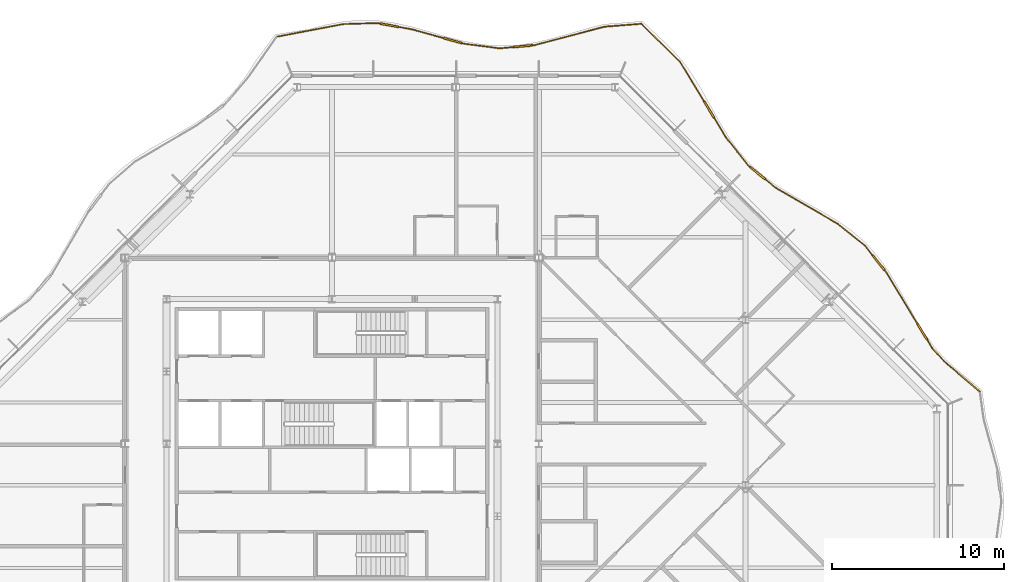
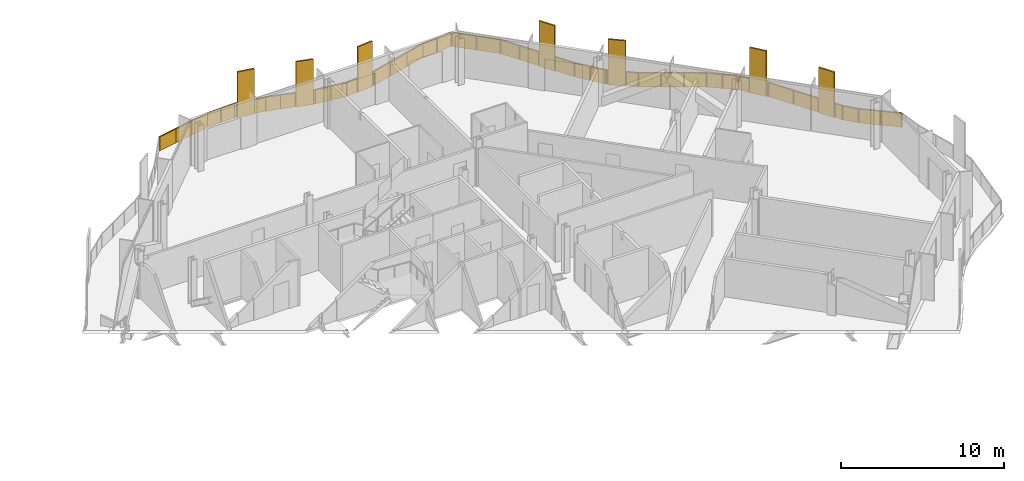
# One storey, part 17 of 17: 2 railings.
"""IFC4 building model written with IfcOpenShell, lengths in metres."""

from ifc_helpers import new_model, si_unit, direction, frame, origin, origin_2d, place, context, subcontext, project, spatial, polyline, rectangle, outline, extrude, material, type_object, element, save


model = new_model("IFC4")

# Units and contexts
model_context = context("Model", 3, precision=1e-05, world=origin(), true_north=direction((0.0, 1.0)))
body_context = subcontext(model_context, "Body", "Model", "MODEL_VIEW")
ifc_project = project(units=[si_unit("LENGTHUNIT", "METRE"), si_unit("AREAUNIT", "SQUARE_METRE"), si_unit("VOLUMEUNIT", "CUBIC_METRE"), si_unit("PLANEANGLEUNIT", "RADIAN"), si_unit("MASSUNIT", "GRAM", prefix="KILO")], contexts=[model_context])

# Site, building, storey
site_placement = place(None, origin())
site = spatial("IfcSite", under=ifc_project, at=site_placement, CompositionType="ELEMENT")
building_placement = place(site_placement, origin())
building = spatial("IfcBuilding", under=site, at=building_placement, Name="Cairn Pilgrim Tower", CompositionType="ELEMENT")
storey_placement = place(building_placement, frame((0.0, 0.0, 225.0)))
storey = spatial("IfcBuildingStorey", under=building, at=storey_placement, Name="L57", CompositionType="ELEMENT", Elevation=225.0)

# Railings
ifc_material = material(Name="Bronze anodised aluminium rail, posts and fin screens with laminated glass infill", Category="aluminium")
railing_type = type_object("IfcRailingType", Name="BALCONY GUARD WITH FIN SCREENS", PredefinedType="GUARDRAIL", material=ifc_material)
railing_1_placement = place(storey_placement, frame((44.7890625, 5.438720703125, 0.0)))
element("IfcRailing", 1, at=railing_1_placement, inside=storey, type_object=railing_type, Name="Balcony guard BGF-4 with fin screens", PredefinedType="GUARDRAIL", context=body_context, shape_type="SweptSolid", body=[
    extrude(rectangle(XDim=0.050048828125, YDim=0.050048828125, at=origin_2d()), frame((0.0, 0.0, 1.0751953125), z_axis=(-0.763874827569, 0.64536443023, 0.0), x_axis=(-0.64536443023, -0.763874827569, 0.0)), (0.0, 0.0, 1.0), 2.6904296875),
    extrude(rectangle(XDim=0.050048828125, YDim=0.050048828125, at=origin_2d()), frame((-2.05517578125, 1.736328125, 1.0751953125), z_axis=(-0.668467622937, 0.743741243367, 0.0), x_axis=(-0.743741243367, -0.668467622937, 0.0)), (0.0, 0.0, 1.0), 1.031494140625),
    extrude(rectangle(XDim=1.10009765625, YDim=0.110107421875, at=origin_2d()), frame((-3.325927734375, 3.459716796875, 0.0), z_axis=(0.0, 0.0, 1.0), x_axis=(-0.519442965435, 0.85450512325, 0.0)), (0.0, 0.0, 1.0), 3.39990234375),
    extrude(rectangle(XDim=0.050048828125, YDim=0.050048828125, at=origin_2d()), frame((-2.74462890625, 2.50341796875, 1.0751953125), z_axis=(-0.519442965435, 0.85450512325, 0.0), x_axis=(-0.85450512325, -0.519442965435, 0.0)), (0.0, 0.0, 1.0), 0.569091796875),
    extrude(rectangle(XDim=0.050048828125, YDim=0.050048828125, at=origin_2d()), frame((-3.611572265625, 3.9296875, 1.0751953125), z_axis=(-0.519442965435, 0.85450512325, 0.0), x_axis=(-0.85450512325, -0.519442965435, 0.0)), (0.0, 0.0, 1.0), 3.5107421875),
    extrude(rectangle(XDim=1.10009765625, YDim=0.110107421875, at=origin_2d()), frame((-5.87353515625, 7.475341796875, 0.0), z_axis=(0.0, 0.0, 1.0), x_axis=(-0.62608064163, 0.779758315234, 0.0)), (0.0, 0.0, 1.0), 3.39990234375),
    extrude(rectangle(XDim=0.050048828125, YDim=0.050048828125, at=origin_2d()), frame((-5.435302734375, 6.9296875, 1.0751953125), z_axis=(-0.62608064163, 0.779758315234, 0.0), x_axis=(-0.779758315234, -0.62608064163, 0.0)), (0.0, 0.0, 1.0), 0.14990234375),
    extrude(rectangle(XDim=0.050048828125, YDim=0.050048828125, at=origin_2d()), frame((-6.2177734375, 7.904296875, 1.0751953125), z_axis=(-0.62608064163, 0.779758315234, 0.0), x_axis=(-0.779758315234, -0.62608064163, 0.0)), (0.0, 0.0, 1.0), 0.7470703125),
    extrude(rectangle(XDim=0.050048828125, YDim=0.050048828125, at=origin_2d()), frame((-6.685546875, 8.48681640625, 1.0751953125), z_axis=(-0.78098812795, 0.624545870214, 0.0), x_axis=(-0.624545870214, -0.78098812795, 0.0)), (0.0, 0.0, 1.0), 1.99609375),
    extrude(rectangle(XDim=0.050048828125, YDim=0.050048828125, at=origin_2d()), frame((-8.244384765625, 9.7333984375, 1.0751953125), z_axis=(-0.864548085394, 0.502550105006, 0.0), x_axis=(-0.502550105006, -0.864548085394, 0.0)), (0.0, 0.0, 1.0), 4.161865234375),
    extrude(rectangle(XDim=1.10009765625, YDim=0.110107421875, at=origin_2d()), frame((-12.8916015625, 12.67529296875, 0.0), z_axis=(0.0, 0.0, 1.0), x_axis=(-0.776903706688, 0.629619433098, 0.0)), (0.0, 0.0, 1.0), 3.39990234375),
    extrude(rectangle(XDim=0.050048828125, YDim=0.050048828125, at=origin_2d()), frame((-11.842529296875, 11.824951171875, 1.0751953125), z_axis=(-0.776903706688, 0.629619433098, 0.0), x_axis=(-0.629619433098, -0.776903706688, 0.0)), (0.0, 0.0, 1.0), 0.800537109375),
    extrude(rectangle(XDim=0.050048828125, YDim=0.050048828125, at=origin_2d()), frame((-13.319091796875, 13.021484375, 1.0751953125), z_axis=(-0.776903706688, 0.629619433098, 0.0), x_axis=(-0.629619433098, -0.776903706688, 0.0)), (0.0, 0.0, 1.0), 0.150146484375),
    extrude(rectangle(XDim=0.050048828125, YDim=0.050048828125, at=origin_2d()), frame((-13.435546875, 13.115966796875, 1.0751953125), z_axis=(-0.620898097192, 0.783891288957, 0.0), x_axis=(-0.783891288957, -0.620898097192, 0.0)), (0.0, 0.0, 1.0), 2.050537109375),
    extrude(rectangle(XDim=1.10009765625, YDim=0.110107421875, at=origin_2d()), frame((-15.70703125, 16.36083984375, 0.0), z_axis=(0.0, 0.0, 1.0), x_axis=(-0.520537665397, 0.85383870778, 0.0)), (0.0, 0.0, 1.0), 3.39990234375),
    extrude(rectangle(XDim=0.050048828125, YDim=0.050048828125, at=origin_2d()), frame((-14.708740234375, 14.723388671875, 1.0751953125), z_axis=(-0.520537665397, 0.85383870778, 0.0), x_axis=(-0.85383870778, -0.520537665397, 0.0)), (0.0, 0.0, 1.0), 1.367919921875),
    extrude(rectangle(XDim=0.050048828125, YDim=0.050048828125, at=origin_2d()), frame((-15.993408203125, 16.83056640625, 1.0751953125), z_axis=(-0.520537665397, 0.85383870778, 0.0), x_axis=(-0.85383870778, -0.520537665397, 0.0)), (0.0, 0.0, 1.0), 2.697021484375),
    extrude(rectangle(XDim=0.050048828125, YDim=0.050048828125, at=origin_2d()), frame((-17.397216796875, 19.13330078125, 1.0751953125), z_axis=(-0.712046289599, 0.70213252415, 0.0), x_axis=(-0.70213252415, -0.712046289599, 0.0)), (0.0, 0.0, 1.0), 3.078369140625),
    extrude(rectangle(XDim=0.050048828125, YDim=0.050048828125, at=origin_2d()), origin(), (0.0, 0.0, 1.0), 1.050048828125),
    extrude(rectangle(XDim=0.050048828125, YDim=0.050048828125, at=origin_2d()), frame((-1.027587890625, 0.8681640625, 0.0)), (0.0, 0.0, 1.0), 1.050048828125),
    extrude(rectangle(XDim=0.050048828125, YDim=0.050048828125, at=origin_2d()), frame((-2.05517578125, 1.736328125, 0.0)), (0.0, 0.0, 1.0), 1.050048828125),
    extrude(rectangle(XDim=0.050048828125, YDim=0.050048828125, at=origin_2d()), frame((-2.74462890625, 2.50341796875, 0.0)), (0.0, 0.0, 1.0), 1.050048828125),
    extrude(rectangle(XDim=0.050048828125, YDim=0.050048828125, at=origin_2d()), frame((-3.02734375, 2.96826171875, 0.0)), (0.0, 0.0, 1.0), 1.050048828125),
    extrude(rectangle(XDim=0.050048828125, YDim=0.050048828125, at=origin_2d()), frame((-3.624755859375, 3.951171875, 0.0)), (0.0, 0.0, 1.0), 1.050048828125),
    extrude(rectangle(XDim=0.050048828125, YDim=0.050048828125, at=origin_2d()), frame((-4.530029296875, 5.4404296875, 0.0)), (0.0, 0.0, 1.0), 1.050048828125),
    extrude(rectangle(XDim=0.050048828125, YDim=0.050048828125, at=origin_2d()), frame((-5.435302734375, 6.9296875, 0.0)), (0.0, 0.0, 1.0), 1.050048828125),
    extrude(rectangle(XDim=0.050048828125, YDim=0.050048828125, at=origin_2d()), frame((-5.513427734375, 7.027099609375, 0.0)), (0.0, 0.0, 1.0), 1.050048828125),
    extrude(rectangle(XDim=0.050048828125, YDim=0.050048828125, at=origin_2d()), frame((-6.2333984375, 7.923828125, 0.0)), (0.0, 0.0, 1.0), 1.050048828125),
    extrude(rectangle(XDim=0.050048828125, YDim=0.050048828125, at=origin_2d()), frame((-6.685546875, 8.48681640625, 0.0)), (0.0, 0.0, 1.0), 1.050048828125),
    extrude(rectangle(XDim=0.050048828125, YDim=0.050048828125, at=origin_2d()), frame((-7.46484375, 9.110107421875, 0.0)), (0.0, 0.0, 1.0), 1.050048828125),
    extrude(rectangle(XDim=0.050048828125, YDim=0.050048828125, at=origin_2d()), frame((-8.244384765625, 9.7333984375, 0.0)), (0.0, 0.0, 1.0), 1.050048828125),
    extrude(rectangle(XDim=0.050048828125, YDim=0.050048828125, at=origin_2d()), frame((-9.44384765625, 10.4306640625, 0.0)), (0.0, 0.0, 1.0), 1.050048828125),
    extrude(rectangle(XDim=0.050048828125, YDim=0.050048828125, at=origin_2d()), frame((-10.64306640625, 11.127685546875, 0.0)), (0.0, 0.0, 1.0), 1.050048828125),
    extrude(rectangle(XDim=0.050048828125, YDim=0.050048828125, at=origin_2d()), frame((-11.842529296875, 11.824951171875, 0.0)), (0.0, 0.0, 1.0), 1.050048828125),
    extrude(rectangle(XDim=0.050048828125, YDim=0.050048828125, at=origin_2d()), frame((-12.44482421875, 12.313232421875, 0.0)), (0.0, 0.0, 1.0), 1.050048828125),
    extrude(rectangle(XDim=0.050048828125, YDim=0.050048828125, at=origin_2d()), frame((-13.33837890625, 13.037353515625, 0.0)), (0.0, 0.0, 1.0), 1.050048828125),
    extrude(rectangle(XDim=0.050048828125, YDim=0.050048828125, at=origin_2d()), frame((-13.435546875, 13.115966796875, 0.0)), (0.0, 0.0, 1.0), 1.050048828125),
    extrude(rectangle(XDim=0.050048828125, YDim=0.050048828125, at=origin_2d()), frame((-14.072265625, 13.919677734375, 0.0)), (0.0, 0.0, 1.0), 1.050048828125),
    extrude(rectangle(XDim=0.050048828125, YDim=0.050048828125, at=origin_2d()), frame((-14.708740234375, 14.723388671875, 0.0)), (0.0, 0.0, 1.0), 1.050048828125),
    extrude(rectangle(XDim=0.050048828125, YDim=0.050048828125, at=origin_2d()), frame((-15.40771484375, 15.869873046875, 0.0)), (0.0, 0.0, 1.0), 1.050048828125),
    extrude(rectangle(XDim=0.050048828125, YDim=0.050048828125, at=origin_2d()), frame((-16.00634765625, 16.85205078125, 0.0)), (0.0, 0.0, 1.0), 1.050048828125),
    extrude(rectangle(XDim=0.050048828125, YDim=0.050048828125, at=origin_2d()), frame((-16.701904296875, 17.99267578125, 0.0)), (0.0, 0.0, 1.0), 1.050048828125),
    extrude(rectangle(XDim=0.050048828125, YDim=0.050048828125, at=origin_2d()), frame((-17.397216796875, 19.13330078125, 0.0)), (0.0, 0.0, 1.0), 1.050048828125),
    extrude(rectangle(XDim=0.050048828125, YDim=0.050048828125, at=origin_2d()), frame((-18.4931640625, 20.2138671875, 0.0)), (0.0, 0.0, 1.0), 1.050048828125),
    extrude(rectangle(XDim=0.050048828125, YDim=0.050048828125, at=origin_2d()), frame((-19.589111328125, 21.294677734375, 0.0)), (0.0, 0.0, 1.0), 1.050048828125),
    extrude(outline(polyline([(0.02490234375, 0.0), (1.3203125, 0.0), (1.3203125, 1.050048828125), (0.02490234375, 1.050048828125), (0.02490234375, 0.0)])), frame((-0.00390625, -0.004638671875, 0.0), z_axis=(0.64536443023, 0.763874827569, 0.0), x_axis=(-0.763874827569, 0.64536443023, 0.0)), (0.0, 0.0, 1.0), 0.011962890625),
    extrude(outline(polyline([(0.02490234375, 0.0), (1.3203125, 0.0), (1.3203125, 1.050048828125), (0.02490234375, 1.050048828125), (0.02490234375, 0.0)])), frame((-1.031494140625, 0.863525390625, 0.0), z_axis=(0.64536443023, 0.763874827569, 0.0), x_axis=(-0.763874827569, 0.64536443023, 0.0)), (0.0, 0.0, 1.0), 0.011962890625),
    extrude(outline(polyline([(0.02490234375, 0.0), (1.00634765625, 0.0), (1.00634765625, 1.050048828125), (0.02490234375, 1.050048828125), (0.02490234375, 0.0)])), frame((-2.0595703125, 1.732421875, 0.0), z_axis=(0.743741243367, 0.668467622937, 0.0), x_axis=(-0.668467622937, 0.743741243367, 0.0)), (0.0, 0.0, 1.0), 0.011962890625),
    extrude(outline(polyline([(0.02490234375, 0.0), (0.51904296875, 0.0), (0.51904296875, 1.050048828125), (0.02490234375, 1.050048828125), (0.02490234375, 0.0)])), frame((-2.749755859375, 2.500244140625, 0.0), z_axis=(0.85450512325, 0.519442965435, 0.0), x_axis=(-0.519442965435, 0.85450512325, 0.0)), (0.0, 0.0, 1.0), 0.011962890625),
    extrude(outline(polyline([(0.02490234375, 0.0), (1.7177734375, 0.0), (1.7177734375, 1.050048828125), (0.02490234375, 1.050048828125), (0.02490234375, 0.0)])), frame((-3.6298828125, 3.947998046875, 0.0), z_axis=(0.85450512325, 0.519442965435, 0.0), x_axis=(-0.519442965435, 0.85450512325, 0.0)), (0.0, 0.0, 1.0), 0.011962890625),
    extrude(outline(polyline([(0.02490234375, 0.0), (1.7177734375, 0.0), (1.7177734375, 1.050048828125), (0.02490234375, 1.050048828125), (0.02490234375, 0.0)])), frame((-4.53515625, 5.437255859375, 0.0), z_axis=(0.85450512325, 0.519442965435, 0.0), x_axis=(-0.519442965435, 0.85450512325, 0.0)), (0.0, 0.0, 1.0), 0.011962890625),
    extrude(outline(polyline([(0.02490234375, 0.0), (0.099853515625, 0.0), (0.099853515625, 1.050048828125), (0.02490234375, 1.050048828125), (0.02490234375, 0.0)])), frame((-5.43994140625, 6.926025390625, 0.0), z_axis=(0.779758315234, 0.62608064163, 0.0), x_axis=(-0.62608064163, 0.779758315234, 0.0)), (0.0, 0.0, 1.0), 0.011962890625),
    extrude(outline(polyline([(0.02490234375, 0.0), (0.697021484375, 0.0), (0.697021484375, 1.050048828125), (0.02490234375, 1.050048828125), (0.02490234375, 0.0)])), frame((-6.238037109375, 7.919921875, 0.0), z_axis=(0.779758315234, 0.62608064163, 0.0), x_axis=(-0.62608064163, 0.779758315234, 0.0)), (0.0, 0.0, 1.0), 0.011962890625),
    extrude(outline(polyline([(0.02490234375, 0.0), (0.972900390625, 0.0), (0.972900390625, 1.050048828125), (0.02490234375, 1.050048828125), (0.02490234375, 0.0)])), frame((-6.689208984375, 8.482177734375, 0.0), z_axis=(0.624545870214, 0.78098812795, 0.0), x_axis=(-0.78098812795, 0.624545870214, 0.0)), (0.0, 0.0, 1.0), 0.011962890625),
    extrude(outline(polyline([(0.02490234375, 0.0), (0.972900390625, 0.0), (0.972900390625, 1.050048828125), (0.02490234375, 1.050048828125), (0.02490234375, 0.0)])), frame((-7.46875, 9.10546875, 0.0), z_axis=(0.624545870214, 0.78098812795, 0.0), x_axis=(-0.78098812795, 0.624545870214, 0.0)), (0.0, 0.0, 1.0), 0.011962890625),
    extrude(outline(polyline([(0.02490234375, 0.0), (1.3623046875, 0.0), (1.3623046875, 1.050048828125), (0.02490234375, 1.050048828125), (0.02490234375, 0.0)])), frame((-8.247314453125, 9.728271484375, 0.0), z_axis=(0.502550105006, 0.864548085394, 0.0), x_axis=(-0.864548085394, 0.502550105006, 0.0)), (0.0, 0.0, 1.0), 0.011962890625),
    extrude(outline(polyline([(0.02490234375, 0.0), (1.3623046875, 0.0), (1.3623046875, 1.050048828125), (0.02490234375, 1.050048828125), (0.02490234375, 0.0)])), frame((-9.44677734375, 10.42529296875, 0.0), z_axis=(0.502550105006, 0.864548085394, 0.0), x_axis=(-0.864548085394, 0.502550105006, 0.0)), (0.0, 0.0, 1.0), 0.011962890625),
    extrude(outline(polyline([(0.02490234375, 0.0), (1.3623046875, 0.0), (1.3623046875, 1.050048828125), (0.02490234375, 1.050048828125), (0.02490234375, 0.0)])), frame((-10.646240234375, 11.12255859375, 0.0), z_axis=(0.502550105006, 0.864548085394, 0.0), x_axis=(-0.864548085394, 0.502550105006, 0.0)), (0.0, 0.0, 1.0), 0.011962890625),
    extrude(outline(polyline([(0.02490234375, 0.0), (0.75048828125, 0.0), (0.75048828125, 1.050048828125), (0.02490234375, 1.050048828125), (0.02490234375, 0.0)])), frame((-11.84619140625, 11.8203125, 0.0), z_axis=(0.629619433098, 0.776903706688, 0.0), x_axis=(-0.776903706688, 0.629619433098, 0.0)), (0.0, 0.0, 1.0), 0.011962890625),
    extrude(outline(polyline([(0.02490234375, 0.0), (0.10009765625, 0.0), (0.10009765625, 1.050048828125), (0.02490234375, 1.050048828125), (0.02490234375, 0.0)])), frame((-13.34228515625, 13.03271484375, 0.0), z_axis=(0.629619433098, 0.776903706688, 0.0), x_axis=(-0.776903706688, 0.629619433098, 0.0)), (0.0, 0.0, 1.0), 0.011962890625),
    extrude(outline(polyline([(0.02490234375, 0.0), (1.000244140625, 0.0), (1.000244140625, 1.050048828125), (0.02490234375, 1.050048828125), (0.02490234375, 0.0)])), frame((-13.440185546875, 13.1123046875, 0.0), z_axis=(0.783891288957, 0.620898097192, 0.0), x_axis=(-0.620898097192, 0.783891288957, 0.0)), (0.0, 0.0, 1.0), 0.011962890625),
    extrude(outline(polyline([(0.02490234375, 0.0), (1.000244140625, 0.0), (1.000244140625, 1.050048828125), (0.02490234375, 1.050048828125), (0.02490234375, 0.0)])), frame((-14.076904296875, 13.916015625, 0.0), z_axis=(0.783891288957, 0.620898097192, 0.0), x_axis=(-0.620898097192, 0.783891288957, 0.0)), (0.0, 0.0, 1.0), 0.011962890625),
    extrude(outline(polyline([(0.02490234375, 0.0), (1.31787109375, 0.0), (1.31787109375, 1.050048828125), (0.02490234375, 1.050048828125), (0.02490234375, 0.0)])), frame((-14.7138671875, 14.72021484375, 0.0), z_axis=(0.85383870778, 0.520537665397, 0.0), x_axis=(-0.520537665397, 0.85383870778, 0.0)), (0.0, 0.0, 1.0), 0.011962890625),
    extrude(outline(polyline([(0.02490234375, 0.0), (1.31103515625, 0.0), (1.31103515625, 1.050048828125), (0.02490234375, 1.050048828125), (0.02490234375, 0.0)])), frame((-16.011474609375, 16.848876953125, 0.0), z_axis=(0.85383870778, 0.520537665397, 0.0), x_axis=(-0.520537665397, 0.85383870778, 0.0)), (0.0, 0.0, 1.0), 0.011962890625),
    extrude(outline(polyline([(0.02490234375, 0.0), (1.31103515625, 0.0), (1.31103515625, 1.050048828125), (0.02490234375, 1.050048828125), (0.02490234375, 0.0)])), frame((-16.70703125, 17.989501953125, 0.0), z_axis=(0.85383870778, 0.520537665397, 0.0), x_axis=(-0.520537665397, 0.85383870778, 0.0)), (0.0, 0.0, 1.0), 0.011962890625),
    extrude(outline(polyline([(0.02490234375, 0.0), (1.51416015625, 0.0), (1.51416015625, 1.050048828125), (0.02490234375, 1.050048828125), (0.02490234375, 0.0)])), frame((-17.4013671875, 19.129150390625, 0.0), z_axis=(0.70213252415, 0.712046289599, 0.0), x_axis=(-0.712046289599, 0.70213252415, 0.0)), (0.0, 0.0, 1.0), 0.011962890625),
    extrude(outline(polyline([(0.02490234375, 0.0), (1.51416015625, 0.0), (1.51416015625, 1.050048828125), (0.02490234375, 1.050048828125), (0.02490234375, 0.0)])), frame((-18.497314453125, 20.209716796875, 0.0), z_axis=(0.70213252415, 0.712046289599, 0.0), x_axis=(-0.712046289599, 0.70213252415, 0.0)), (0.0, 0.0, 1.0), 0.011962890625),
])
railing_2_placement = place(storey_placement, frame((25.1572265625, 26.775390625, 0.0)))
element("IfcRailing", 2, at=railing_2_placement, inside=storey, type_object=railing_type, Name="Balcony guard BGF-5 with fin screens", PredefinedType="GUARDRAIL", context=body_context, shape_type="SweptSolid", body=[
    extrude(rectangle(XDim=0.050048828125, YDim=0.050048828125, at=origin_2d()), frame((0.0, 0.0, 1.0751953125), z_axis=(-0.996932297744, -0.078268727569, 0.0), x_axis=(0.078268727569, -0.996932297744, 0.0)), (0.0, 0.0, 1.0), 2.149169921875),
    extrude(rectangle(XDim=0.050048828125, YDim=0.050048828125, at=origin_2d()), frame((-2.142578125, -0.168212890625, 1.0751953125), z_axis=(-0.96682666378, -0.25543336157, 0.0), x_axis=(0.25543336157, -0.96682666378, 0.0)), (0.0, 0.0, 1.0), 4.1796875),
    extrude(rectangle(XDim=1.10009765625, YDim=0.110107421875, at=origin_2d()), frame((-6.880615234375, -1.300048828125, 0.0), z_axis=(0.0, 0.0, 1.0), x_axis=(-0.995800343741, -0.091551490457, 0.0)), (0.0, 0.0, 1.0), 3.39990234375),
    extrude(rectangle(XDim=0.050048828125, YDim=0.050048828125, at=origin_2d()), frame((-6.18359375, -1.23583984375, 1.0751953125), z_axis=(-0.995800343741, -0.091551490457, 0.0), x_axis=(0.091551490457, -0.995800343741, 0.0)), (0.0, 0.0, 1.0), 0.150146484375),
    extrude(rectangle(XDim=0.050048828125, YDim=0.050048828125, at=origin_2d()), frame((-7.428466796875, -1.350341796875, 1.0751953125), z_axis=(-0.995800343741, -0.091551490457, 0.0), x_axis=(0.091551490457, -0.995800343741, 0.0)), (0.0, 0.0, 1.0), 0.80859375),
    extrude(rectangle(XDim=0.050048828125, YDim=0.050048828125, at=origin_2d()), frame((-8.233642578125, -1.42431640625, 1.0751953125), z_axis=(-0.991754617536, 0.128151389368, 0.0), x_axis=(-0.128151389368, -0.991754617536, 0.0)), (0.0, 0.0, 1.0), 2.065185546875),
    extrude(rectangle(XDim=1.10009765625, YDim=0.110107421875, at=origin_2d()), frame((-10.95654296875, -0.9736328125, 0.0), z_axis=(0.0, 0.0, 1.0), x_axis=(-0.964022772634, 0.26581966414, 0.0)), (0.0, 0.0, 1.0), 3.39990234375),
    extrude(rectangle(XDim=0.050048828125, YDim=0.050048828125, at=origin_2d()), frame((-10.28173828125, -1.15966796875, 1.0751953125), z_axis=(-0.964022772634, 0.26581966414, 0.0), x_axis=(-0.26581966414, -0.964022772634, 0.0)), (0.0, 0.0, 1.0), 0.14990234375),
    extrude(rectangle(XDim=0.050048828125, YDim=0.050048828125, at=origin_2d()), frame((-11.48681640625, -0.827392578125, 1.0751953125), z_axis=(-0.964022772634, 0.26581966414, 0.0), x_axis=(-0.26581966414, -0.964022772634, 0.0)), (0.0, 0.0, 1.0), 1.8984375),
    extrude(rectangle(XDim=1.10009765625, YDim=0.110107421875, at=origin_2d()), frame((-14.62744140625, -0.08349609375, 0.0), z_axis=(0.0, 0.0, 1.0), x_axis=(-0.983737000946, 0.179614901858, 0.0)), (0.0, 0.0, 1.0), 3.39990234375),
    extrude(rectangle(XDim=0.050048828125, YDim=0.050048828125, at=origin_2d()), frame((-13.31689453125, -0.32275390625, 1.0751953125), z_axis=(-0.983737000946, 0.179614901858, 0.0), x_axis=(-0.179614901858, -0.983737000946, 0.0)), (0.0, 0.0, 1.0), 0.7822265625),
    extrude(rectangle(XDim=0.050048828125, YDim=0.050048828125, at=origin_2d()), frame((-15.16845703125, 0.015380859375, 1.0751953125), z_axis=(-0.983737000946, 0.179614901858, 0.0), x_axis=(-0.179614901858, -0.983737000946, 0.0)), (0.0, 0.0, 1.0), 0.14990234375),
    extrude(rectangle(XDim=0.050048828125, YDim=0.050048828125, at=origin_2d()), frame((-15.31591796875, 0.042236328125, 1.0751953125), z_axis=(-0.999561062846, -0.029625692248, 0.0), x_axis=(0.029625692248, -0.999561062846, 0.0)), (0.0, 0.0, 1.0), 1.994384765625),
    extrude(rectangle(XDim=0.050048828125, YDim=0.050048828125, at=origin_2d()), frame((-17.309326171875, -0.016845703125, 1.0751953125), z_axis=(-0.982335248452, -0.187129526395, 0.0), x_axis=(0.187129526395, -0.982335248452, 0.0)), (0.0, 0.0, 1.0), 3.864501953125),
    extrude(rectangle(XDim=0.050048828125, YDim=0.050048828125, at=origin_2d()), origin(), (0.0, 0.0, 1.0), 1.050048828125),
    extrude(rectangle(XDim=0.050048828125, YDim=0.050048828125, at=origin_2d()), frame((-1.0712890625, -0.083984375, 0.0)), (0.0, 0.0, 1.0), 1.050048828125),
    extrude(rectangle(XDim=0.050048828125, YDim=0.050048828125, at=origin_2d()), frame((-2.142578125, -0.168212890625, 0.0)), (0.0, 0.0, 1.0), 1.050048828125),
    extrude(rectangle(XDim=0.050048828125, YDim=0.050048828125, at=origin_2d()), frame((-3.489501953125, -0.524169921875, 0.0)), (0.0, 0.0, 1.0), 1.050048828125),
    extrude(rectangle(XDim=0.050048828125, YDim=0.050048828125, at=origin_2d()), frame((-4.836669921875, -0.8798828125, 0.0)), (0.0, 0.0, 1.0), 1.050048828125),
    extrude(rectangle(XDim=0.050048828125, YDim=0.050048828125, at=origin_2d()), frame((-6.18359375, -1.23583984375, 0.0)), (0.0, 0.0, 1.0), 1.050048828125),
    extrude(rectangle(XDim=0.050048828125, YDim=0.050048828125, at=origin_2d()), frame((-6.30810546875, -1.247314453125, 0.0)), (0.0, 0.0, 1.0), 1.050048828125),
    extrude(rectangle(XDim=0.050048828125, YDim=0.050048828125, at=origin_2d()), frame((-7.453369140625, -1.3525390625, 0.0)), (0.0, 0.0, 1.0), 1.050048828125),
    extrude(rectangle(XDim=0.050048828125, YDim=0.050048828125, at=origin_2d()), frame((-8.233642578125, -1.42431640625, 0.0)), (0.0, 0.0, 1.0), 1.050048828125),
    extrude(rectangle(XDim=0.050048828125, YDim=0.050048828125, at=origin_2d()), frame((-9.2578125, -1.2919921875, 0.0)), (0.0, 0.0, 1.0), 1.050048828125),
    extrude(rectangle(XDim=0.050048828125, YDim=0.050048828125, at=origin_2d()), frame((-10.28173828125, -1.15966796875, 0.0)), (0.0, 0.0, 1.0), 1.050048828125),
    extrude(rectangle(XDim=0.050048828125, YDim=0.050048828125, at=origin_2d()), frame((-10.402099609375, -1.12646484375, 0.0)), (0.0, 0.0, 1.0), 1.050048828125),
    extrude(rectangle(XDim=0.050048828125, YDim=0.050048828125, at=origin_2d()), frame((-11.5107421875, -0.82080078125, 0.0)), (0.0, 0.0, 1.0), 1.050048828125),
    extrude(rectangle(XDim=0.050048828125, YDim=0.050048828125, at=origin_2d()), frame((-12.413818359375, -0.57177734375, 0.0)), (0.0, 0.0, 1.0), 1.050048828125),
    extrude(rectangle(XDim=0.050048828125, YDim=0.050048828125, at=origin_2d()), frame((-13.31689453125, -0.32275390625, 0.0)), (0.0, 0.0, 1.0), 1.050048828125),
    extrude(rectangle(XDim=0.050048828125, YDim=0.050048828125, at=origin_2d()), frame((-14.061767578125, -0.186767578125, 0.0)), (0.0, 0.0, 1.0), 1.050048828125),
    extrude(rectangle(XDim=0.050048828125, YDim=0.050048828125, at=origin_2d()), frame((-15.193115234375, 0.019775390625, 0.0)), (0.0, 0.0, 1.0), 1.050048828125),
    extrude(rectangle(XDim=0.050048828125, YDim=0.050048828125, at=origin_2d()), frame((-15.31591796875, 0.042236328125, 0.0)), (0.0, 0.0, 1.0), 1.050048828125),
    extrude(rectangle(XDim=0.050048828125, YDim=0.050048828125, at=origin_2d()), frame((-16.3125, 0.0126953125, 0.0)), (0.0, 0.0, 1.0), 1.050048828125),
    extrude(rectangle(XDim=0.050048828125, YDim=0.050048828125, at=origin_2d()), frame((-17.309326171875, -0.016845703125, 0.0)), (0.0, 0.0, 1.0), 1.050048828125),
    extrude(rectangle(XDim=0.050048828125, YDim=0.050048828125, at=origin_2d()), frame((-18.57470703125, -0.2578125, 0.0)), (0.0, 0.0, 1.0), 1.050048828125),
    extrude(rectangle(XDim=0.050048828125, YDim=0.050048828125, at=origin_2d()), frame((-19.840087890625, -0.4990234375, 0.0)), (0.0, 0.0, 1.0), 1.050048828125),
    extrude(rectangle(XDim=0.050048828125, YDim=0.050048828125, at=origin_2d()), frame((-21.10546875, -0.739990234375, 0.0)), (0.0, 0.0, 1.0), 1.050048828125),
    extrude(outline(polyline([(0.02490234375, 0.0), (1.049560546875, 0.0), (1.049560546875, 1.050048828125), (0.02490234375, 1.050048828125), (0.02490234375, 0.0)])), frame((0.00048828125, -0.005859375, 0.0), z_axis=(-0.078268727569, 0.996932297744, 0.0), x_axis=(-0.996932297744, -0.078268727569, 0.0)), (0.0, 0.0, 1.0), 0.011962890625),
    extrude(outline(polyline([(0.02490234375, 0.0), (1.049560546875, 0.0), (1.049560546875, 1.050048828125), (0.02490234375, 1.050048828125), (0.02490234375, 0.0)])), frame((-1.07080078125, -0.090087890625, 0.0), z_axis=(-0.078268727569, 0.996932297744, 0.0), x_axis=(-0.996932297744, -0.078268727569, 0.0)), (0.0, 0.0, 1.0), 0.011962890625),
    extrude(outline(polyline([(0.02490234375, 0.0), (1.3681640625, 0.0), (1.3681640625, 1.050048828125), (0.02490234375, 1.050048828125), (0.02490234375, 0.0)])), frame((-2.14111328125, -0.174072265625, 0.0), z_axis=(-0.25543336157, 0.96682666378, 0.0), x_axis=(-0.96682666378, -0.25543336157, 0.0)), (0.0, 0.0, 1.0), 0.011962890625),
    extrude(outline(polyline([(0.02490234375, 0.0), (1.3681640625, 0.0), (1.3681640625, 1.050048828125), (0.02490234375, 1.050048828125), (0.02490234375, 0.0)])), frame((-3.488037109375, -0.52978515625, 0.0), z_axis=(-0.25543336157, 0.96682666378, 0.0), x_axis=(-0.96682666378, -0.25543336157, 0.0)), (0.0, 0.0, 1.0), 0.011962890625),
    extrude(outline(polyline([(0.02490234375, 0.0), (1.3681640625, 0.0), (1.3681640625, 1.050048828125), (0.02490234375, 1.050048828125), (0.02490234375, 0.0)])), frame((-4.8349609375, -0.8857421875, 0.0), z_axis=(-0.25543336157, 0.96682666378, 0.0), x_axis=(-0.96682666378, -0.25543336157, 0.0)), (0.0, 0.0, 1.0), 0.011962890625),
    extrude(outline(polyline([(0.02490234375, 0.0), (0.10009765625, 0.0), (0.10009765625, 1.050048828125), (0.02490234375, 1.050048828125), (0.02490234375, 0.0)])), frame((-6.18310546875, -1.24169921875, 0.0), z_axis=(-0.091551490457, 0.995800343741, 0.0), x_axis=(-0.995800343741, -0.091551490457, 0.0)), (0.0, 0.0, 1.0), 0.011962890625),
    extrude(outline(polyline([(0.02490234375, 0.0), (0.758544921875, 0.0), (0.758544921875, 1.050048828125), (0.02490234375, 1.050048828125), (0.02490234375, 0.0)])), frame((-7.452880859375, -1.358642578125, 0.0), z_axis=(-0.091551490457, 0.995800343741, 0.0), x_axis=(-0.995800343741, -0.091551490457, 0.0)), (0.0, 0.0, 1.0), 0.011962890625),
    extrude(outline(polyline([(0.02490234375, 0.0), (1.007568359375, 0.0), (1.007568359375, 1.050048828125), (0.02490234375, 1.050048828125), (0.02490234375, 0.0)])), frame((-8.234375, -1.43017578125, 0.0), z_axis=(0.128151389368, 0.991754617536, 0.0), x_axis=(-0.991754617536, 0.128151389368, 0.0)), (0.0, 0.0, 1.0), 0.011962890625),
    extrude(outline(polyline([(0.02490234375, 0.0), (1.007568359375, 0.0), (1.007568359375, 1.050048828125), (0.02490234375, 1.050048828125), (0.02490234375, 0.0)])), frame((-9.258544921875, -1.2978515625, 0.0), z_axis=(0.128151389368, 0.991754617536, 0.0), x_axis=(-0.991754617536, 0.128151389368, 0.0)), (0.0, 0.0, 1.0), 0.011962890625),
    extrude(outline(polyline([(0.02490234375, 0.0), (0.099853515625, 0.0), (0.099853515625, 1.050048828125), (0.02490234375, 1.050048828125), (0.02490234375, 0.0)])), frame((-10.283447265625, -1.16552734375, 0.0), z_axis=(0.26581966414, 0.964022772634, 0.0), x_axis=(-0.964022772634, 0.26581966414, 0.0)), (0.0, 0.0, 1.0), 0.011962890625),
    extrude(outline(polyline([(0.02490234375, 0.0), (0.91162109375, 0.0), (0.91162109375, 1.050048828125), (0.02490234375, 1.050048828125), (0.02490234375, 0.0)])), frame((-11.512451171875, -0.826416015625, 0.0), z_axis=(0.26581966414, 0.964022772634, 0.0), x_axis=(-0.964022772634, 0.26581966414, 0.0)), (0.0, 0.0, 1.0), 0.011962890625),
    extrude(outline(polyline([(0.02490234375, 0.0), (0.91162109375, 0.0), (0.91162109375, 1.050048828125), (0.02490234375, 1.050048828125), (0.02490234375, 0.0)])), frame((-12.41552734375, -0.57763671875, 0.0), z_axis=(0.26581966414, 0.964022772634, 0.0), x_axis=(-0.964022772634, 0.26581966414, 0.0)), (0.0, 0.0, 1.0), 0.011962890625),
    extrude(outline(polyline([(0.02490234375, 0.0), (0.732177734375, 0.0), (0.732177734375, 1.050048828125), (0.02490234375, 1.050048828125), (0.02490234375, 0.0)])), frame((-13.31787109375, -0.32861328125, 0.0), z_axis=(0.179614901858, 0.983737000946, 0.0), x_axis=(-0.983737000946, 0.179614901858, 0.0)), (0.0, 0.0, 1.0), 0.011962890625),
    extrude(outline(polyline([(0.02490234375, 0.0), (0.099853515625, 0.0), (0.099853515625, 1.050048828125), (0.02490234375, 1.050048828125), (0.02490234375, 0.0)])), frame((-15.194091796875, 0.013916015625, 0.0), z_axis=(0.179614901858, 0.983737000946, 0.0), x_axis=(-0.983737000946, 0.179614901858, 0.0)), (0.0, 0.0, 1.0), 0.011962890625),
    extrude(outline(polyline([(0.02490234375, 0.0), (0.97216796875, 0.0), (0.97216796875, 1.050048828125), (0.02490234375, 1.050048828125), (0.02490234375, 0.0)])), frame((-15.315673828125, 0.036376953125, 0.0), z_axis=(-0.029625692248, 0.999561062846, 0.0), x_axis=(-0.999561062846, -0.029625692248, 0.0)), (0.0, 0.0, 1.0), 0.011962890625),
    extrude(outline(polyline([(0.02490234375, 0.0), (0.97216796875, 0.0), (0.97216796875, 1.050048828125), (0.02490234375, 1.050048828125), (0.02490234375, 0.0)])), frame((-16.3125, 0.0068359375, 0.0), z_axis=(-0.029625692248, 0.999561062846, 0.0), x_axis=(-0.999561062846, -0.029625692248, 0.0)), (0.0, 0.0, 1.0), 0.011962890625),
    extrude(outline(polyline([(0.02490234375, 0.0), (1.26318359375, 0.0), (1.26318359375, 1.050048828125), (0.02490234375, 1.050048828125), (0.02490234375, 0.0)])), frame((-17.30810546875, -0.022705078125, 0.0), z_axis=(-0.187129526395, 0.982335248452, 0.0), x_axis=(-0.982335248452, -0.187129526395, 0.0)), (0.0, 0.0, 1.0), 0.011962890625),
    extrude(outline(polyline([(0.02490234375, 0.0), (1.26318359375, 0.0), (1.26318359375, 1.050048828125), (0.02490234375, 1.050048828125), (0.02490234375, 0.0)])), frame((-18.573486328125, -0.263671875, 0.0), z_axis=(-0.187129526395, 0.982335248452, 0.0), x_axis=(-0.982335248452, -0.187129526395, 0.0)), (0.0, 0.0, 1.0), 0.011962890625),
    extrude(outline(polyline([(0.02490234375, 0.0), (1.26318359375, 0.0), (1.26318359375, 1.050048828125), (0.02490234375, 1.050048828125), (0.02490234375, 0.0)])), frame((-19.8388671875, -0.5048828125, 0.0), z_axis=(-0.187129526395, 0.982335248452, 0.0), x_axis=(-0.982335248452, -0.187129526395, 0.0)), (0.0, 0.0, 1.0), 0.011962890625),
])

save(model, "model.ifc")
